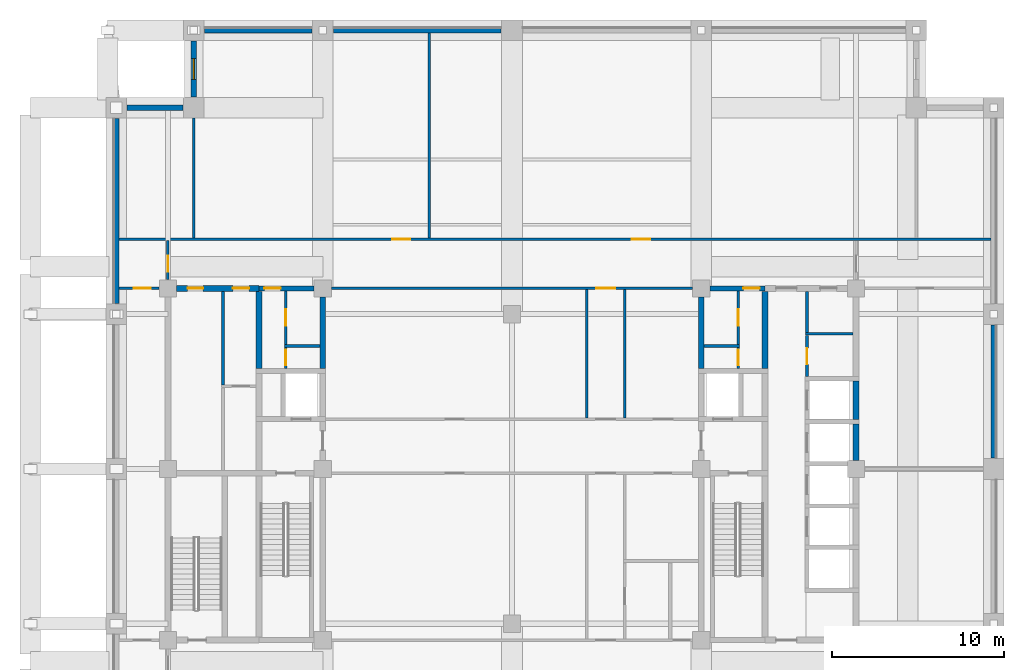
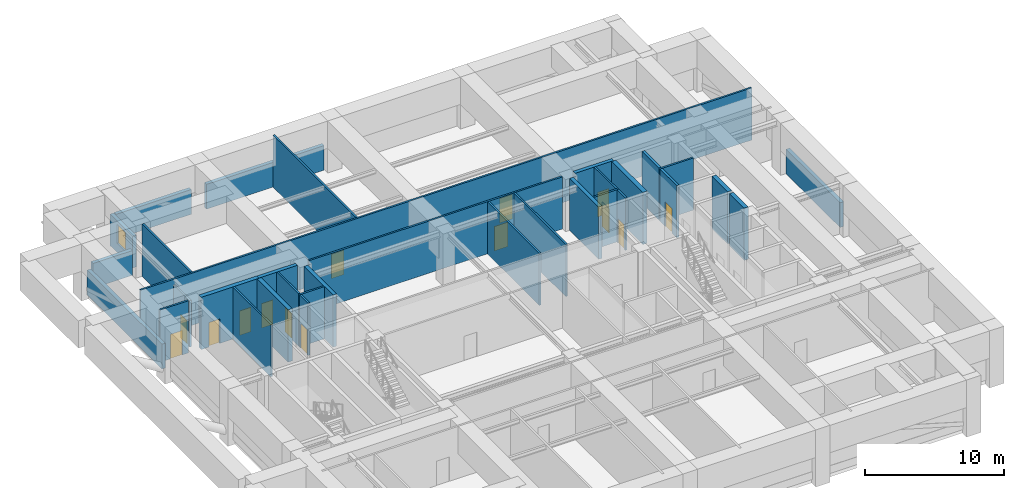
# One storey, part 5 of 11: 33 walls, 14 doors, 1 window, 15 openings.
"""IFC4 building model written with IfcOpenShell, lengths in metres."""

from ifc_helpers import new_model, si_unit, direction, frame, frame_2d, origin, place, context, subcontext, project, spatial, rectangle, extrude, material, layer, layer_set, type_object, element, fill, save


model = new_model("IFC4")

# Units and contexts
model_context = context("Model", 3, precision=1e-05, world=origin(), true_north=direction((0.0, 1.0)))
body_context = subcontext(model_context, "Body", "Model", "MODEL_VIEW")
ifc_project = project(units=[si_unit("LENGTHUNIT", "METRE"), si_unit("AREAUNIT", "SQUARE_METRE"), si_unit("VOLUMEUNIT", "CUBIC_METRE"), si_unit("PLANEANGLEUNIT", "RADIAN"), si_unit("MASSUNIT", "GRAM", prefix="KILO")], contexts=[model_context])

# Site, building, storey
site_placement = place(None, origin())
site = spatial("IfcSite", under=ifc_project, at=site_placement, CompositionType="ELEMENT")
building_placement = place(site_placement, origin())
building = spatial("IfcBuilding", under=site, at=building_placement, Name="Zulmaris Gate Convention Tower", CompositionType="ELEMENT")
storey_placement = place(building_placement, frame((0.0, 0.0, 116.349853515625)))
storey = spatial("IfcBuildingStorey", under=building, at=storey_placement, Name="L29", CompositionType="ELEMENT", Elevation=116.349853515625)

# Wall, opening, door
ifc_material_1 = material(Name="Concrete C50/60", Category="concrete")
ifc_layer_1 = layer(ifc_material_1, 0.300048828125, Name="Concrete C50/60")
ifc_layer_set_1 = layer_set([ifc_layer_1], Name="Concrete C50/60")
wall_type_1 = type_object("IfcWallType", Name="CORE-300", PredefinedType="SHEAR", material=ifc_layer_set_1)
wall_1_placement = place(storey_placement, frame((-14.699951171875, 10.5, 0.0), z_axis=(0.0, 0.0, 1.0), x_axis=(1.0, 0.0, 0.0)))
wall_1 = element("IfcWall", 1, at=wall_1_placement, inside=storey, type_object=wall_type_1, Name="WL-L29-018", PredefinedType="SHEAR", context=body_context, shape_type="SweptSolid", body=[
    extrude(rectangle(XDim=3.196044921875, YDim=0.300048828125, at=frame_2d((1.59814453125, 0.0))), origin(), (0.0, 0.0, 1.0), 4.574951171875),
])
opening_1_placement = place(wall_1_placement, frame((0.304931640625, 0.0, 0.0)))
opening_1 = element("IfcOpeningElement", 2, at=opening_1_placement, cuts=wall_1, Name="Opening D-11", PredefinedType="OPENING", context=body_context, shape_type="SweptSolid", body=[
    extrude(rectangle(XDim=0.949951171875, YDim=2.14990234375, at=frame_2d((0.47509765625, 1.074951171875))), frame((0.0, 0.16015625, 0.0), z_axis=(0.0, -1.0, 0.0), x_axis=(1.0, 0.0, 0.0)), (0.0, 0.0, 1.0), 0.320068359375),
])
ifc_material_2 = material(Name="Fire-Rated Timber", Category="wood")
door_type_1 = type_object("IfcDoorType", Name="DR-950-FD", OperationType="NOTDEFINED", PredefinedType="DOOR", material=ifc_material_2)
door_1_placement = place(opening_1_placement, origin())
door_1 = element("IfcDoor", 3, at=door_1_placement, inside=storey, type_object=door_type_1, Name="L29 Core West Passage Door 07", OperationType="SINGLE_SWING_RIGHT", OverallHeight=2.14990234375, OverallWidth=0.949951171875, PredefinedType="DOOR", context=body_context, shape_type="SweptSolid", body=[
    extrude(rectangle(XDim=0.949951171875, YDim=2.14990234375, at=frame_2d((0.47509765625, 1.074951171875))), frame((0.0, 0.02490234375, 0.0), z_axis=(0.0, -1.0, 0.0), x_axis=(1.0, 0.0, 0.0)), (0.0, 0.0, 1.0), 0.050048828125),
])
fill(opening_1, door_1)

wall_2_placement = place(storey_placement, frame((11.50390625, 10.5, 0.0), z_axis=(0.0, 0.0, 1.0), x_axis=(1.0, 0.0, 0.0)))
wall_2 = element("IfcWall", 4, at=wall_2_placement, inside=storey, type_object=wall_type_1, Name="WL-L29-019", PredefinedType="SHEAR", context=body_context, shape_type="SweptSolid", body=[
    extrude(rectangle(XDim=3.196044921875, YDim=0.300048828125, at=frame_2d((1.59814453125, 0.0))), origin(), (0.0, 0.0, 1.0), 4.574951171875),
])
opening_2_placement = place(wall_2_placement, frame((1.94091796875, 0.0, 0.0)))
opening_2 = element("IfcOpeningElement", 5, at=opening_2_placement, cuts=wall_2, Name="Opening D-11", PredefinedType="OPENING", context=body_context, shape_type="SweptSolid", body=[
    extrude(rectangle(XDim=0.949951171875, YDim=2.14990234375, at=frame_2d((0.47509765625, 1.074951171875))), frame((0.0, 0.16015625, 0.0), z_axis=(0.0, -1.0, 0.0), x_axis=(1.0, 0.0, 0.0)), (0.0, 0.0, 1.0), 0.320068359375),
])
door_2_placement = place(opening_2_placement, origin())
door_2 = element("IfcDoor", 6, at=door_2_placement, inside=storey, type_object=door_type_1, Name="L29 Core East Passage Door 10", OperationType="SINGLE_SWING_LEFT", OverallHeight=2.14990234375, OverallWidth=0.949951171875, PredefinedType="DOOR", context=body_context, shape_type="SweptSolid", body=[
    extrude(rectangle(XDim=0.949951171875, YDim=2.14990234375, at=frame_2d((0.47509765625, 1.074951171875))), frame((0.0, 0.02490234375, 0.0), z_axis=(0.0, -1.0, 0.0), x_axis=(1.0, 0.0, 0.0)), (0.0, 0.0, 1.0), 0.050048828125),
])
fill(opening_2, door_2)

# Walls
for number, where, z_axis, x_axis, name in (
    (7, (-11.0, 5.85205078125, 0.0), (0.0, 0.0, 1.0), (0.0, 1.0, 0.0), "WL-L29-049"),
    (8, (11.0, 5.85205078125, 0.0), (0.0, 0.0, 1.0), (0.0, 1.0, 0.0), "WL-L29-053"),
):
    element("IfcWall", number, at=place(storey_placement, frame(where, z_axis=z_axis, x_axis=x_axis)), inside=storey, type_object=wall_type_1, Name=name, PredefinedType="SHEAR", context=body_context, shape_type="SweptSolid", body=[
        extrude(rectangle(XDim=4.14404296875, YDim=0.300048828125, at=frame_2d((2.072021484375, 0.0))), origin(), (0.0, 0.0, 1.0), 4.574951171875),
    ])

# Wall, openings, doors
ifc_material_3 = material(Name="Concrete C55/67", Category="concrete")
ifc_layer_2 = layer(ifc_material_3, 0.35009765625, Name="Concrete C55/67")
ifc_layer_set_2 = layer_set([ifc_layer_2], Name="Concrete C55/67")
wall_type_2 = type_object("IfcWallType", Name="CORE-350", PredefinedType="SHEAR", material=ifc_layer_set_2)
wall_3_placement = place(storey_placement, frame((-19.49609375, 10.5, 0.0), z_axis=(0.0, 0.0, 1.0), x_axis=(1.0, 0.0, 0.0)))
wall_3 = element("IfcWall", 9, at=wall_3_placement, inside=storey, type_object=wall_type_2, Name="WL-L29-017", PredefinedType="SHEAR", context=body_context, shape_type="SweptSolid", body=[
    extrude(rectangle(XDim=4.796142578125, YDim=0.35009765625, at=frame_2d((2.39794921875, 0.0))), origin(), (0.0, 0.0, 1.0), 4.574951171875),
])
opening_3_placement = place(wall_3_placement, frame((0.64599609375, 0.0, 0.0)))
opening_3 = element("IfcOpeningElement", 10, at=opening_3_placement, cuts=wall_3, Name="Opening D-12", PredefinedType="OPENING", context=body_context, shape_type="SweptSolid", body=[
    extrude(rectangle(XDim=0.89990234375, YDim=2.14990234375, at=frame_2d((0.449951171875, 1.074951171875))), frame((0.0, 0.18505859375, 0.0), z_axis=(0.0, -1.0, 0.0), x_axis=(1.0, 0.0, 0.0)), (0.0, 0.0, 1.0), 0.3701171875),
])
opening_4_placement = place(wall_3_placement, frame((3.27099609375, 0.0, 0.0)))
opening_4 = element("IfcOpeningElement", 11, at=opening_4_placement, cuts=wall_3, Name="Opening D-11", PredefinedType="OPENING", context=body_context, shape_type="SweptSolid", body=[
    extrude(rectangle(XDim=0.949951171875, YDim=2.14990234375, at=frame_2d((0.47509765625, 1.074951171875))), frame((0.0, 0.18505859375, 0.0), z_axis=(0.0, -1.0, 0.0), x_axis=(1.0, 0.0, 0.0)), (0.0, 0.0, 1.0), 0.3701171875),
])
door_type_2 = type_object("IfcDoorType", Name="DR-900-FD", OperationType="NOTDEFINED", PredefinedType="DOOR", material=ifc_material_2)
door_3_placement = place(opening_3_placement, origin())
door_3 = element("IfcDoor", 12, at=door_3_placement, inside=storey, type_object=door_type_2, Name="L29 Document Vault Door 14", OperationType="SINGLE_SWING_LEFT", OverallHeight=2.14990234375, OverallWidth=0.89990234375, PredefinedType="DOOR", context=body_context, shape_type="SweptSolid", body=[
    extrude(rectangle(XDim=0.89990234375, YDim=2.14990234375, at=frame_2d((0.449951171875, 1.074951171875))), frame((0.0, 0.02490234375, 0.0), z_axis=(0.0, -1.0, 0.0), x_axis=(1.0, 0.0, 0.0)), (0.0, 0.0, 1.0), 0.050048828125),
])
fill(opening_3, door_3)
door_4_placement = place(opening_4_placement, origin())
door_4 = element("IfcDoor", 13, at=door_4_placement, inside=storey, type_object=door_type_1, Name="L29 Beverage Pantry Door 15", OperationType="SINGLE_SWING_RIGHT", OverallHeight=2.14990234375, OverallWidth=0.949951171875, PredefinedType="DOOR", context=body_context, shape_type="SweptSolid", body=[
    extrude(rectangle(XDim=0.949951171875, YDim=2.14990234375, at=frame_2d((0.47509765625, 1.074951171875))), frame((0.0, 0.02490234375, 0.0), z_axis=(0.0, -1.0, 0.0), x_axis=(1.0, 0.0, 0.0)), (0.0, 0.0, 1.0), 0.050048828125),
])
fill(opening_4, door_4)

# Walls
for number, where, z_axis, x_axis, name in (
    (14, (-14.699951171875, 5.85205078125, 0.0), (0.0, 0.0, 1.0), (0.0, 1.0, 0.0), "WL-L29-043"),
    (15, (14.699951171875, 5.85205078125, 0.0), (0.0, 0.0, 1.0), (0.0, 1.0, 0.0), "WL-L29-059"),
):
    element("IfcWall", number, at=place(storey_placement, frame(where, z_axis=z_axis, x_axis=x_axis)), inside=storey, type_object=wall_type_2, Name=name, PredefinedType="SHEAR", context=body_context, shape_type="SweptSolid", body=[
        extrude(rectangle(XDim=4.470947265625, YDim=0.35009765625, at=frame_2d((2.2353515625, 0.0))), origin(), (0.0, 0.0, 1.0), 4.574951171875),
    ])
wall_4_placement = place(storey_placement, frame((20.0, 0.50390625, 0.0), z_axis=(0.0, 0.0, 1.0), x_axis=(0.0, 1.0, 0.0)))
element("IfcWall", 16, at=wall_4_placement, inside=storey, type_object=wall_type_2, Name="WL-L29-069", PredefinedType="SHEAR", context=body_context, shape_type="SweptSolid", body=[
    extrude(rectangle(XDim=2.119140625, YDim=0.35009765625, at=frame_2d((1.0595703125, 0.0))), origin(), (0.0, 0.0, 1.0), 4.574951171875),
])
wall_5_placement = place(storey_placement, frame((20.0, 2.876953125, 0.0), z_axis=(0.0, 0.0, 1.0), x_axis=(0.0, 1.0, 0.0)))
element("IfcWall", 17, at=wall_5_placement, inside=storey, type_object=wall_type_2, Name="WL-L29-070", PredefinedType="SHEAR", context=body_context, shape_type="SweptSolid", body=[
    extrude(rectangle(XDim=2.24609375, YDim=0.35009765625, at=frame_2d((1.123046875, 0.0))), origin(), (0.0, 0.0, 1.0), 4.574951171875),
])
ifc_material_4 = material(Name="Gypsum Metal Stud Partition")
ifc_layer_3 = layer(ifc_material_4, 0.14990234375, Name="Gypsum Metal Stud Partition")
ifc_layer_set_3 = layer_set([ifc_layer_3], Name="Gypsum Metal Stud Partition")
wall_type_3 = type_object("IfcWallType", Name="PART-150", PredefinedType="PARTITIONING", material=ifc_layer_set_3)
for number, where, z_axis, x_axis, name in (
    (18, (-13.22509765625, 7.14990234375, 0.0), (0.0, 0.0, 1.0), (1.0, 0.0, 0.0), "WL-L29-030"),
    (19, (11.153076171875, 7.14990234375, 0.0), (0.0, 0.0, 1.0), (1.0, 0.0, 0.0), "WL-L29-031"),
):
    element("IfcWall", number, at=place(storey_placement, frame(where, z_axis=z_axis, x_axis=x_axis)), inside=storey, type_object=wall_type_3, Name=name, PredefinedType="PARTITIONING", context=body_context, shape_type="SweptSolid", body=[
        extrude(rectangle(XDim=2.072021484375, YDim=0.14990234375, at=frame_2d((1.0361328125, 0.0))), origin(), (0.0, 0.0, 1.0), 4.574951171875),
    ])
wall_6_placement = place(storey_placement, frame((17.050048828125, 7.85009765625, 0.0), z_axis=(0.0, 0.0, 1.0), x_axis=(1.0, 0.0, 0.0)))
element("IfcWall", 20, at=wall_6_placement, inside=storey, type_object=wall_type_3, Name="WL-L29-032", PredefinedType="PARTITIONING", context=body_context, shape_type="SweptSolid", body=[
    extrude(rectangle(XDim=2.77197265625, YDim=0.14990234375, at=frame_2d((1.385986328125, 0.0))), origin(), (0.0, 0.0, 1.0), 4.574951171875),
])

# Wall, opening, door
wall_7_placement = place(storey_placement, frame((-22.8349609375, 10.5, 0.0), z_axis=(0.0, 0.0, 1.0), x_axis=(1.0, 0.0, 0.0)))
wall_7 = element("IfcWall", 21, at=wall_7_placement, inside=storey, type_object=wall_type_3, Name="WL-L29-033", PredefinedType="PARTITIONING", context=body_context, shape_type="SweptSolid", body=[
    extrude(rectangle(XDim=2.328857421875, YDim=0.14990234375, at=frame_2d((1.16455078125, 0.0))), origin(), (0.0, 0.0, 1.0), 4.574951171875),
])
opening_5_placement = place(wall_7_placement, frame((0.8349609375, 0.0, 0.0)))
opening_5 = element("IfcOpeningElement", 22, at=opening_5_placement, cuts=wall_7, Name="Opening D-10", PredefinedType="OPENING", context=body_context, shape_type="SweptSolid", body=[
    extrude(rectangle(XDim=1.0, YDim=2.14990234375, at=frame_2d((0.5, 1.074951171875))), frame((0.0, 0.0849609375, 0.0), z_axis=(0.0, -1.0, 0.0), x_axis=(1.0, 0.0, 0.0)), (0.0, 0.0, 1.0), 0.169921875),
])
door_type_3 = type_object("IfcDoorType", Name="DR-1000-FD", OperationType="NOTDEFINED", PredefinedType="DOOR", material=ifc_material_2)
door_5_placement = place(opening_5_placement, origin())
door_5 = element("IfcDoor", 23, at=door_5_placement, inside=storey, type_object=door_type_3, Name="L29 West Workplace North Door 44", OperationType="SINGLE_SWING_LEFT", OverallHeight=2.14990234375, OverallWidth=1.0, PredefinedType="DOOR", context=body_context, shape_type="SweptSolid", body=[
    extrude(rectangle(XDim=1.0, YDim=2.14990234375, at=frame_2d((0.5, 1.074951171875))), frame((0.0, 0.02490234375, 0.0), z_axis=(0.0, -1.0, 0.0), x_axis=(1.0, 0.0, 0.0)), (0.0, 0.0, 1.0), 0.050048828125),
])
fill(opening_5, door_5)

wall_8_placement = place(storey_placement, frame((-10.493896484375, 10.5, 0.0), z_axis=(0.0, 0.0, 1.0), x_axis=(1.0, 0.0, 0.0)))
wall_8 = element("IfcWall", 24, at=wall_8_placement, inside=storey, type_object=wall_type_3, Name="WL-L29-034", PredefinedType="PARTITIONING", context=body_context, shape_type="SweptSolid", body=[
    extrude(rectangle(XDim=20.98779296875, YDim=0.14990234375, at=frame_2d((10.493896484375, 0.0))), origin(), (0.0, 0.0, 1.0), 4.574951171875),
])
opening_6_placement = place(wall_8_placement, frame((15.39404296875, 0.0, 0.0)))
opening_6 = element("IfcOpeningElement", 25, at=opening_6_placement, cuts=wall_8, Name="Opening D-08", PredefinedType="OPENING", context=body_context, shape_type="SweptSolid", body=[
    extrude(rectangle(XDim=1.10009765625, YDim=2.14990234375, at=frame_2d((0.550048828125, 1.074951171875))), frame((0.0, 0.0849609375, 0.0), z_axis=(0.0, -1.0, 0.0), x_axis=(1.0, 0.0, 0.0)), (0.0, 0.0, 1.0), 0.169921875),
])
ifc_material_5 = material(Name="Fire-Rated Steel", Category="steel")
door_type_4 = type_object("IfcDoorType", Name="DR-1100-FD", OperationType="NOTDEFINED", PredefinedType="DOOR", material=ifc_material_5)
door_6_placement = place(opening_6_placement, origin())
door_6 = element("IfcDoor", 26, at=door_6_placement, inside=storey, type_object=door_type_4, Name="L29 North Gallery Link Door 25", OperationType="SINGLE_SWING_RIGHT", OverallHeight=2.14990234375, OverallWidth=1.10009765625, PredefinedType="DOOR", context=body_context, shape_type="SweptSolid", body=[
    extrude(rectangle(XDim=1.10009765625, YDim=2.14990234375, at=frame_2d((0.550048828125, 1.074951171875))), frame((0.0, 0.02490234375, 0.0), z_axis=(0.0, -1.0, 0.0), x_axis=(1.0, 0.0, 0.0)), (0.0, 0.0, 1.0), 0.050048828125),
])
fill(opening_6, door_6)

# Wall, openings, doors
wall_9_placement = place(storey_placement, frame((-22.8349609375, 13.35009765625, 0.0), z_axis=(0.0, 0.0, 1.0), x_axis=(1.0, 0.0, 0.0)))
wall_9 = element("IfcWall", 27, at=wall_9_placement, inside=storey, type_object=wall_type_3, Name="WL-L29-036", PredefinedType="PARTITIONING", context=body_context, shape_type="SweptSolid", body=[
    extrude(rectangle(XDim=50.669921875, YDim=0.14990234375, at=frame_2d((25.3349609375, 0.0))), origin(), (0.0, 0.0, 1.0), 4.574951171875),
])
opening_7_placement = place(wall_9_placement, frame((15.860107421875, 0.0, 0.0)))
opening_7 = element("IfcOpeningElement", 28, at=opening_7_placement, cuts=wall_9, Name="Opening D-09", PredefinedType="OPENING", context=body_context, shape_type="SweptSolid", body=[
    extrude(rectangle(XDim=1.050048828125, YDim=2.14990234375, at=frame_2d((0.52490234375, 1.074951171875))), frame((0.0, 0.0849609375, 0.0), z_axis=(0.0, -1.0, 0.0), x_axis=(1.0, 0.0, 0.0)), (0.0, 0.0, 1.0), 0.169921875),
])
opening_8_placement = place(wall_9_placement, frame((29.81005859375, 0.0, 0.0)))
opening_8 = element("IfcOpeningElement", 29, at=opening_8_placement, cuts=wall_9, Name="Opening D-09", PredefinedType="OPENING", context=body_context, shape_type="SweptSolid", body=[
    extrude(rectangle(XDim=1.050048828125, YDim=2.14990234375, at=frame_2d((0.52490234375, 1.074951171875))), frame((0.0, 0.0849609375, 0.0), z_axis=(0.0, -1.0, 0.0), x_axis=(1.0, 0.0, 0.0)), (0.0, 0.0, 1.0), 0.169921875),
])
door_type_5 = type_object("IfcDoorType", Name="DR-1050-FD", OperationType="NOTDEFINED", PredefinedType="DOOR", material=ifc_material_5)
door_7_placement = place(opening_7_placement, origin())
door_7 = element("IfcDoor", 30, at=door_7_placement, inside=storey, type_object=door_type_5, Name="L29 Delegate Business Lounge Door 29", OperationType="SINGLE_SWING_RIGHT", OverallHeight=2.14990234375, OverallWidth=1.050048828125, PredefinedType="DOOR", context=body_context, shape_type="SweptSolid", body=[
    extrude(rectangle(XDim=1.050048828125, YDim=2.14990234375, at=frame_2d((0.52490234375, 1.074951171875))), frame((0.0, 0.02490234375, 0.0), z_axis=(0.0, -1.0, 0.0), x_axis=(1.0, 0.0, 0.0)), (0.0, 0.0, 1.0), 0.050048828125),
])
fill(opening_7, door_7)
door_8_placement = place(opening_8_placement, origin())
door_8 = element("IfcDoor", 31, at=door_8_placement, inside=storey, type_object=door_type_5, Name="L29 Commercial Advisory Office Door 30", OperationType="SINGLE_SWING_LEFT", OverallHeight=2.14990234375, OverallWidth=1.050048828125, PredefinedType="DOOR", context=body_context, shape_type="SweptSolid", body=[
    extrude(rectangle(XDim=1.050048828125, YDim=2.14990234375, at=frame_2d((0.52490234375, 1.074951171875))), frame((0.0, 0.02490234375, 0.0), z_axis=(0.0, -1.0, 0.0), x_axis=(1.0, 0.0, 0.0)), (0.0, 0.0, 1.0), 0.050048828125),
])
fill(opening_8, door_8)

# Wall, opening, door
wall_10_placement = place(storey_placement, frame((-20.0, 11.006103515625, 0.0), z_axis=(0.0, 0.0, 1.0), x_axis=(0.0, 1.0, 0.0)))
wall_10 = element("IfcWall", 32, at=wall_10_placement, inside=storey, type_object=wall_type_3, Name="WL-L29-073", PredefinedType="PARTITIONING", context=body_context, shape_type="SweptSolid", body=[
    extrude(rectangle(XDim=2.265869140625, YDim=0.14990234375, at=frame_2d((1.1328125, 0.0))), origin(), (0.0, 0.0, 1.0), 4.06494140625),
])
opening_9_placement = place(wall_10_placement, frame((0.448974609375, 0.0, 0.0)))
opening_9 = element("IfcOpeningElement", 33, at=opening_9_placement, cuts=wall_10, Name="Opening D-25", PredefinedType="OPENING", context=body_context, shape_type="SweptSolid", body=[
    extrude(rectangle(XDim=0.949951171875, YDim=2.02001953125, at=frame_2d((0.47509765625, 1.010009765625))), frame((0.0, 0.0849609375, 0.0), z_axis=(0.0, -1.0, 0.0), x_axis=(1.0, 0.0, 0.0)), (0.0, 0.0, 1.0), 0.169921875),
])
door_type_6 = type_object("IfcDoorType", Name="DR-950-LOW-FD", OperationType="NOTDEFINED", PredefinedType="DOOR", material=ifc_material_5)
door_9_placement = place(opening_9_placement, origin())
door_9 = element("IfcDoor", 34, at=door_9_placement, inside=storey, type_object=door_type_6, Name="L29 NW Spur Door 42", OperationType="SINGLE_SWING_LEFT", OverallHeight=2.02001953125, OverallWidth=0.949951171875, PredefinedType="DOOR", context=body_context, shape_type="SweptSolid", body=[
    extrude(rectangle(XDim=0.949951171875, YDim=2.02001953125, at=frame_2d((0.47509765625, 1.010009765625))), frame((0.0, 0.02490234375, 0.0), z_axis=(0.0, -1.0, 0.0), x_axis=(1.0, 0.0, 0.0)), (0.0, 0.0, 1.0), 0.050048828125),
])
fill(opening_9, door_9)

# Walls
wall_11_placement = place(storey_placement, frame((-18.5, 13.427978515625, 0.0), z_axis=(0.0, 0.0, 1.0), x_axis=(0.0, 1.0, 0.0)))
element("IfcWall", 35, at=wall_11_placement, inside=storey, type_object=wall_type_3, Name="WL-L29-075", PredefinedType="PARTITIONING", context=body_context, shape_type="SweptSolid", body=[
    extrude(rectangle(XDim=6.966064453125, YDim=0.14990234375, at=frame_2d((3.48291015625, 0.0))), origin(), (0.0, 0.0, 1.0), 4.574951171875),
])
wall_12_placement = place(storey_placement, frame((-16.800048828125, 4.8779296875, 0.0), z_axis=(0.0, 0.0, 1.0), x_axis=(0.0, 1.0, 0.0)))
element("IfcWall", 36, at=wall_12_placement, inside=storey, type_object=wall_type_3, Name="WL-L29-077", PredefinedType="PARTITIONING", context=body_context, shape_type="SweptSolid", body=[
    extrude(rectangle(XDim=5.444091796875, YDim=0.14990234375, at=frame_2d((2.72216796875, 0.0))), origin(), (0.0, 0.0, 1.0), 4.574951171875),
])

# Wall, opening, door
wall_13_placement = place(storey_placement, frame((-13.14990234375, 5.85302734375, 0.0), z_axis=(0.0, 0.0, 1.0), x_axis=(0.0, 1.0, 0.0)))
wall_13 = element("IfcWall", 37, at=wall_13_placement, inside=storey, type_object=wall_type_3, Name="WL-L29-078", PredefinedType="PARTITIONING", context=body_context, shape_type="SweptSolid", body=[
    extrude(rectangle(XDim=1.218994140625, YDim=0.14990234375, at=frame_2d((0.609375, 0.0))), origin(), (0.0, 0.0, 1.0), 4.574951171875),
])
opening_10_placement = place(wall_13_placement, frame((0.1689453125, 0.0, 0.0)))
opening_10 = element("IfcOpeningElement", 38, at=opening_10_placement, cuts=wall_13, Name="Opening D-12", PredefinedType="OPENING", context=body_context, shape_type="SweptSolid", body=[
    extrude(rectangle(XDim=0.89990234375, YDim=2.14990234375, at=frame_2d((0.449951171875, 1.074951171875))), frame((0.0, 0.0849609375, 0.0), z_axis=(0.0, -1.0, 0.0), x_axis=(1.0, 0.0, 0.0)), (0.0, 0.0, 1.0), 0.169921875),
])
door_10_placement = place(opening_10_placement, origin())
door_10 = element("IfcDoor", 39, at=door_10_placement, inside=storey, type_object=door_type_2, Name="L29 Stationery Closet Door 08", OperationType="SINGLE_SWING_LEFT", OverallHeight=2.14990234375, OverallWidth=0.89990234375, PredefinedType="DOOR", context=body_context, shape_type="SweptSolid", body=[
    extrude(rectangle(XDim=0.89990234375, YDim=2.14990234375, at=frame_2d((0.449951171875, 1.074951171875))), frame((0.0, 0.02490234375, 0.0), z_axis=(0.0, -1.0, 0.0), x_axis=(1.0, 0.0, 0.0)), (0.0, 0.0, 1.0), 0.050048828125),
])
fill(opening_10, door_10)

wall_14_placement = place(storey_placement, frame((-13.14990234375, 7.22802734375, 0.0), z_axis=(0.0, 0.0, 1.0), x_axis=(0.0, 1.0, 0.0)))
wall_14 = element("IfcWall", 40, at=wall_14_placement, inside=storey, type_object=wall_type_3, Name="WL-L29-079", PredefinedType="PARTITIONING", context=body_context, shape_type="SweptSolid", body=[
    extrude(rectangle(XDim=3.118896484375, YDim=0.14990234375, at=frame_2d((1.5595703125, 0.0))), origin(), (0.0, 0.0, 1.0), 4.574951171875),
])
opening_11_placement = place(wall_14_placement, frame((1.096923828125, 0.0, 0.0)))
opening_11 = element("IfcOpeningElement", 41, at=opening_11_placement, cuts=wall_14, Name="Opening D-11", PredefinedType="OPENING", context=body_context, shape_type="SweptSolid", body=[
    extrude(rectangle(XDim=0.949951171875, YDim=2.14990234375, at=frame_2d((0.47509765625, 1.074951171875))), frame((0.0, 0.0849609375, 0.0), z_axis=(0.0, -1.0, 0.0), x_axis=(1.0, 0.0, 0.0)), (0.0, 0.0, 1.0), 0.169921875),
])
door_11_placement = place(opening_11_placement, origin())
door_11 = element("IfcDoor", 42, at=door_11_placement, inside=storey, type_object=door_type_1, Name="L29 Meter Closet Door 09", OperationType="SINGLE_SWING_RIGHT", OverallHeight=2.14990234375, OverallWidth=0.949951171875, PredefinedType="DOOR", context=body_context, shape_type="SweptSolid", body=[
    extrude(rectangle(XDim=0.949951171875, YDim=2.14990234375, at=frame_2d((0.47509765625, 1.074951171875))), frame((0.0, 0.02490234375, 0.0), z_axis=(0.0, -1.0, 0.0), x_axis=(1.0, 0.0, 0.0)), (0.0, 0.0, 1.0), 0.050048828125),
])
fill(opening_11, door_11)

# Walls
wall_15_placement = place(storey_placement, frame((-4.800048828125, 13.427978515625, 0.0), z_axis=(0.0, 0.0, 1.0), x_axis=(0.0, 1.0, 0.0)))
element("IfcWall", 43, at=wall_15_placement, inside=storey, type_object=wall_type_3, Name="WL-L29-081", PredefinedType="PARTITIONING", context=body_context, shape_type="SweptSolid", body=[
    extrude(rectangle(XDim=11.906982421875, YDim=0.14990234375, at=frame_2d((5.95361328125, 0.0))), origin(), (0.0, 0.0, 1.0), 4.574951171875),
])
for number, where, z_axis, x_axis, name in (
    (44, (4.35009765625, 2.97802734375, 0.0), (0.0, 0.0, 1.0), (0.0, 1.0, 0.0), "WL-L29-084"),
    (45, (6.550048828125, 2.97802734375, 0.0), (0.0, 0.0, 1.0), (0.0, 1.0, 0.0), "WL-L29-088"),
):
    element("IfcWall", number, at=place(storey_placement, frame(where, z_axis=z_axis, x_axis=x_axis)), inside=storey, type_object=wall_type_3, Name=name, PredefinedType="PARTITIONING", context=body_context, shape_type="SweptSolid", body=[
        extrude(rectangle(XDim=7.444091796875, YDim=0.14990234375, at=frame_2d((3.72216796875, 0.0))), origin(), (0.0, 0.0, 1.0), 4.574951171875),
    ])

# Wall, opening, door
wall_16_placement = place(storey_placement, frame((13.14990234375, 5.85302734375, 0.0), z_axis=(0.0, 0.0, 1.0), x_axis=(0.0, 1.0, 0.0)))
wall_16 = element("IfcWall", 46, at=wall_16_placement, inside=storey, type_object=wall_type_3, Name="WL-L29-090", PredefinedType="PARTITIONING", context=body_context, shape_type="SweptSolid", body=[
    extrude(rectangle(XDim=1.218994140625, YDim=0.14990234375, at=frame_2d((0.609375, 0.0))), origin(), (0.0, 0.0, 1.0), 4.574951171875),
])
opening_12_placement = place(wall_16_placement, frame((0.1689453125, 0.0, 0.0)))
opening_12 = element("IfcOpeningElement", 47, at=opening_12_placement, cuts=wall_16, Name="Opening D-12", PredefinedType="OPENING", context=body_context, shape_type="SweptSolid", body=[
    extrude(rectangle(XDim=0.89990234375, YDim=2.14990234375, at=frame_2d((0.449951171875, 1.074951171875))), frame((0.0, 0.0849609375, 0.0), z_axis=(0.0, -1.0, 0.0), x_axis=(1.0, 0.0, 0.0)), (0.0, 0.0, 1.0), 0.169921875),
])
door_12_placement = place(opening_12_placement, origin())
door_12 = element("IfcDoor", 48, at=door_12_placement, inside=storey, type_object=door_type_2, Name="L29 Core Staff WC Door 11", OperationType="SINGLE_SWING_RIGHT", OverallHeight=2.14990234375, OverallWidth=0.89990234375, PredefinedType="DOOR", context=body_context, shape_type="SweptSolid", body=[
    extrude(rectangle(XDim=0.89990234375, YDim=2.14990234375, at=frame_2d((0.449951171875, 1.074951171875))), frame((0.0, 0.02490234375, 0.0), z_axis=(0.0, -1.0, 0.0), x_axis=(1.0, 0.0, 0.0)), (0.0, 0.0, 1.0), 0.050048828125),
])
fill(opening_12, door_12)

wall_17_placement = place(storey_placement, frame((13.14990234375, 7.22802734375, 0.0), z_axis=(0.0, 0.0, 1.0), x_axis=(0.0, 1.0, 0.0)))
wall_17 = element("IfcWall", 49, at=wall_17_placement, inside=storey, type_object=wall_type_3, Name="WL-L29-091", PredefinedType="PARTITIONING", context=body_context, shape_type="SweptSolid", body=[
    extrude(rectangle(XDim=3.118896484375, YDim=0.14990234375, at=frame_2d((1.5595703125, 0.0))), origin(), (0.0, 0.0, 1.0), 4.574951171875),
])
opening_13_placement = place(wall_17_placement, frame((1.096923828125, 0.0, 0.0)))
opening_13 = element("IfcOpeningElement", 50, at=opening_13_placement, cuts=wall_17, Name="Opening D-11", PredefinedType="OPENING", context=body_context, shape_type="SweptSolid", body=[
    extrude(rectangle(XDim=0.949951171875, YDim=2.14990234375, at=frame_2d((0.47509765625, 1.074951171875))), frame((0.0, 0.0849609375, 0.0), z_axis=(0.0, -1.0, 0.0), x_axis=(1.0, 0.0, 0.0)), (0.0, 0.0, 1.0), 0.169921875),
])
door_13_placement = place(opening_13_placement, origin())
door_13 = element("IfcDoor", 51, at=door_13_placement, inside=storey, type_object=door_type_1, Name="L29 Core Hygiene Store Door 12", OperationType="SINGLE_SWING_LEFT", OverallHeight=2.14990234375, OverallWidth=0.949951171875, PredefinedType="DOOR", context=body_context, shape_type="SweptSolid", body=[
    extrude(rectangle(XDim=0.949951171875, YDim=2.14990234375, at=frame_2d((0.47509765625, 1.074951171875))), frame((0.0, 0.02490234375, 0.0), z_axis=(0.0, -1.0, 0.0), x_axis=(1.0, 0.0, 0.0)), (0.0, 0.0, 1.0), 0.050048828125),
])
fill(opening_13, door_13)

ifc_material_6 = material(Name="Autoclaved Aerated Concrete Block and Plasterboard", Category="concrete")
ifc_layer_4 = layer(ifc_material_6, 0.199951171875, Name="Autoclaved Aerated Concrete Block and Plasterboard")
ifc_layer_set_4 = layer_set([ifc_layer_4], Name="Autoclaved Aerated Concrete Block and Plasterboard")
wall_type_4 = type_object("IfcWallType", Name="PART-200", PredefinedType="PARTITIONING", material=ifc_layer_set_4)
wall_18_placement = place(storey_placement, frame((17.14990234375, 5.3779296875, 0.0), z_axis=(0.0, 0.0, 1.0), x_axis=(0.0, 1.0, 0.0)))
wall_18 = element("IfcWall", 52, at=wall_18_placement, inside=storey, type_object=wall_type_4, Name="WL-L29-093", PredefinedType="PARTITIONING", context=body_context, shape_type="SweptSolid", body=[
    extrude(rectangle(XDim=2.39404296875, YDim=0.199951171875, at=frame_2d((1.197021484375, 0.0))), origin(), (0.0, 0.0, 1.0), 4.574951171875),
])
opening_14_placement = place(wall_18_placement, frame((0.697021484375, 0.0, 0.0)))
opening_14 = element("IfcOpeningElement", 53, at=opening_14_placement, cuts=wall_18, Name="Opening D-11", PredefinedType="OPENING", context=body_context, shape_type="SweptSolid", body=[
    extrude(rectangle(XDim=0.949951171875, YDim=2.14990234375, at=frame_2d((0.47509765625, 1.074951171875))), frame((0.0, 0.10986328125, 0.0), z_axis=(0.0, -1.0, 0.0), x_axis=(1.0, 0.0, 0.0)), (0.0, 0.0, 1.0), 0.219970703125),
])
door_14_placement = place(opening_14_placement, origin())
door_14 = element("IfcDoor", 54, at=door_14_placement, inside=storey, type_object=door_type_1, Name="L29 Mid-Rise Meter Door 24", OperationType="SINGLE_SWING_LEFT", OverallHeight=2.14990234375, OverallWidth=0.949951171875, PredefinedType="DOOR", context=body_context, shape_type="SweptSolid", body=[
    extrude(rectangle(XDim=0.949951171875, YDim=2.14990234375, at=frame_2d((0.47509765625, 1.074951171875))), frame((0.0, 0.02490234375, 0.0), z_axis=(0.0, -1.0, 0.0), x_axis=(1.0, 0.0, 0.0)), (0.0, 0.0, 1.0), 0.050048828125),
])
fill(opening_14, door_14)

# Wall
wall_19_placement = place(storey_placement, frame((17.14990234375, 7.927978515625, 0.0), z_axis=(0.0, 0.0, 1.0), x_axis=(0.0, 1.0, 0.0)))
element("IfcWall", 55, at=wall_19_placement, inside=storey, type_object=wall_type_4, Name="WL-L29-094", PredefinedType="PARTITIONING", context=body_context, shape_type="SweptSolid", body=[
    extrude(rectangle(XDim=2.39404296875, YDim=0.199951171875, at=frame_2d((1.197021484375, 0.0))), origin(), (0.0, 0.0, 1.0), 4.574951171875),
])

# Wall, opening, window
ifc_material_7 = material(Name="Precast concrete C40/50", Category="concrete")
ifc_layer_5 = layer(ifc_material_7, 0.300048828125, Name="Precast concrete C40/50")
ifc_layer_set_5 = layer_set([ifc_layer_5], Name="Precast concrete C40/50")
wall_type_5 = type_object("IfcWallType", Name="PRECAST-PIER-300", PredefinedType="STANDARD", material=ifc_layer_set_5)
wall_20_placement = place(storey_placement, frame((-18.5, 24.8701171875, 0.0), z_axis=(0.0, 0.0, 1.0), x_axis=(0.0, -1.0, 0.0)))
wall_20 = element("IfcWall", 56, at=wall_20_placement, inside=storey, type_object=wall_type_5, Name="EW-L29-NOTCH-NW1_0", PredefinedType="STANDARD", context=body_context, shape_type="SweptSolid", body=[
    extrude(rectangle(XDim=3.240234375, YDim=0.300048828125, at=frame_2d((1.6201171875, 0.0))), origin(), (0.0, 0.0, 1.0), 2.76708984375),
])
opening_15_placement = place(wall_20_placement, frame((1.02001953125, 0.0, 0.820068359375)))
opening_15 = element("IfcOpeningElement", 57, at=opening_15_placement, cuts=wall_20, Name="Opening W-04", PredefinedType="OPENING", context=body_context, shape_type="SweptSolid", body=[
    extrude(rectangle(XDim=1.199951171875, YDim=1.64990234375, at=frame_2d((0.60009765625, 0.824951171875))), frame((0.0, 0.16015625, 0.0), z_axis=(0.0, -1.0, 0.0), x_axis=(1.0, 0.0, 0.0)), (0.0, 0.0, 1.0), 0.320068359375),
])
ifc_material_8 = material(Name="Low-E Laminated Double Glazing in Aluminium Frame", Category="aluminium")
window_type = type_object("IfcWindowType", Name="WIN-1200x2100", PartitioningType="SINGLE_PANEL", PredefinedType="WINDOW", material=ifc_material_8)
window_placement = place(opening_15_placement, origin())
window = element("IfcWindow", 58, at=window_placement, inside=storey, type_object=window_type, Name="WN-EW-L29-NOTCH-NW1_0", OverallHeight=1.64990234375, OverallWidth=1.199951171875, PartitioningType="SINGLE_PANEL", PredefinedType="WINDOW", context=body_context, shape_type="SweptSolid", body=[
    extrude(rectangle(XDim=1.199951171875, YDim=1.64990234375, at=frame_2d((0.60009765625, 0.824951171875))), frame((0.0, 0.030029296875, 0.0), z_axis=(0.0, -1.0, 0.0), x_axis=(1.0, 0.0, 0.0)), (0.0, 0.0, 1.0), 0.06005859375),
])
fill(opening_15, window)

# Walls
wall_21_placement = place(storey_placement, frame((-19.1298828125, 21.0, 0.0), z_axis=(0.0, 0.0, 1.0), x_axis=(-1.0, 0.0, 0.0)))
element("IfcWall", 59, at=wall_21_placement, inside=storey, type_object=wall_type_5, Name="EW-L29-NOTCH-NW2_0", PredefinedType="STANDARD", context=body_context, shape_type="SweptSolid", body=[
    extrude(rectangle(XDim=3.240234375, YDim=0.300048828125, at=frame_2d((1.6201171875, 0.0))), origin(), (0.0, 0.0, 1.0), 2.1669921875),
])
wall_22_placement = place(storey_placement, frame((-11.6298828125, 25.5, 0.0), z_axis=(0.0, 0.0, 1.0), x_axis=(-1.0, 0.0, 0.0)))
element("IfcWall", 60, at=wall_22_placement, inside=storey, type_object=wall_type_5, Name="EW-L29-N-0_0", PredefinedType="STANDARD", context=body_context, shape_type="SweptSolid", body=[
    extrude(rectangle(XDim=6.240234375, YDim=0.300048828125, at=frame_2d((3.1201171875, 0.0))), origin(), (0.0, 0.0, 1.0), 2.1669921875),
])
wall_23_placement = place(storey_placement, frame((-0.6298828125, 25.5, 0.0), z_axis=(0.0, 0.0, 1.0), x_axis=(-1.0, 0.0, 0.0)))
element("IfcWall", 61, at=wall_23_placement, inside=storey, type_object=wall_type_5, Name="EW-L29-N-1_0", PredefinedType="STANDARD", context=body_context, shape_type="SweptSolid", body=[
    extrude(rectangle(XDim=9.740234375, YDim=0.300048828125, at=frame_2d((4.8701171875, 0.0))), origin(), (0.0, 0.0, 1.0), 2.1669921875),
])
wall_24_placement = place(storey_placement, frame((28.0, 0.6298828125, 0.0), z_axis=(0.0, 0.0, 1.0), x_axis=(0.0, 1.0, 0.0)))
element("IfcWall", 62, at=wall_24_placement, inside=storey, type_object=wall_type_5, Name="EW-L29-E-2_0", PredefinedType="STANDARD", context=body_context, shape_type="SweptSolid", body=[
    extrude(rectangle(XDim=7.740234375, YDim=0.300048828125, at=frame_2d((3.8701171875, 0.0))), origin(), (0.0, 0.0, 1.0), 2.1669921875),
])
wall_25_placement = place(storey_placement, frame((-23.0, 20.3701171875, 0.0), z_axis=(0.0, 0.0, 1.0), x_axis=(0.0, -1.0, 0.0)))
element("IfcWall", 63, at=wall_25_placement, inside=storey, type_object=wall_type_5, Name="EW-L29-W-3_0", PredefinedType="STANDARD", context=body_context, shape_type="SweptSolid", body=[
    extrude(rectangle(XDim=10.740234375, YDim=0.300048828125, at=frame_2d((5.3701171875, 0.0))), origin(), (0.0, 0.0, 1.0), 2.1669921875),
])

save(model, "model.ifc")
